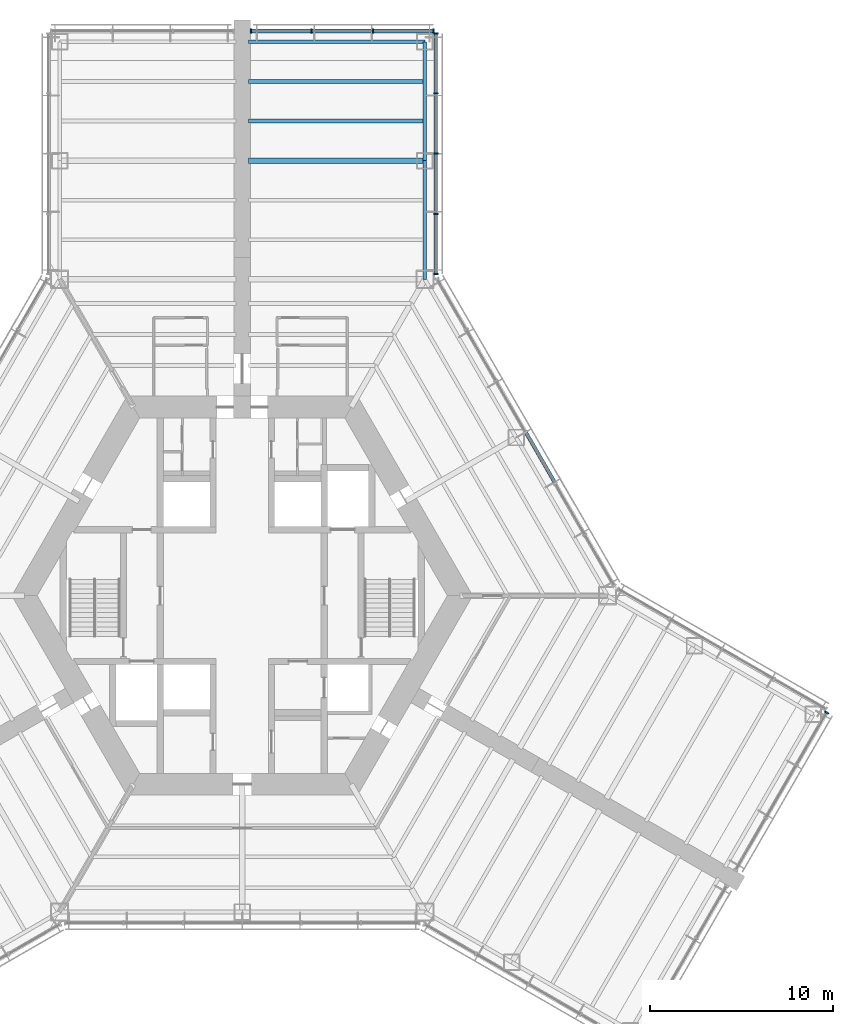
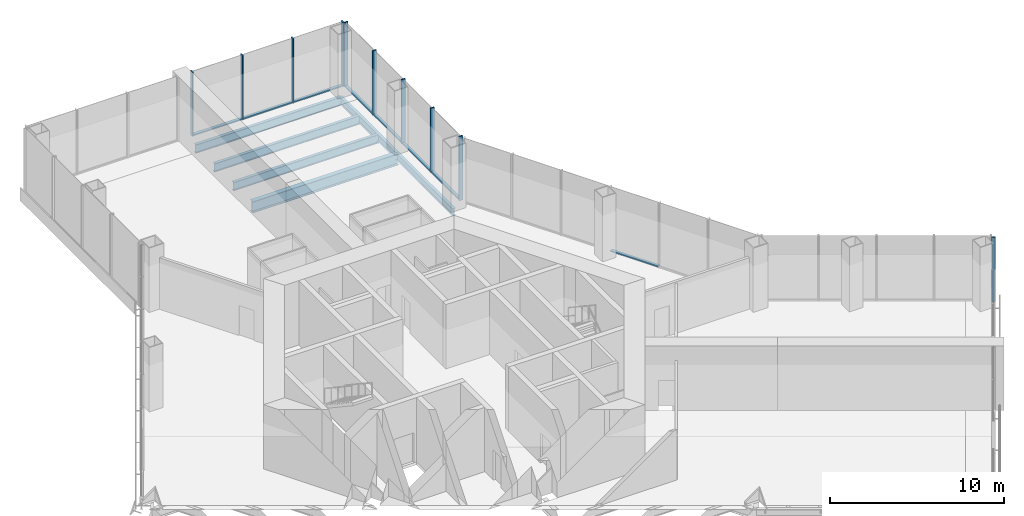
# One storey, part 6 of 13: 18 members, 6 beams, 4 elements without a shape of their own.
"""IFC4 building model written with IfcOpenShell, lengths in metres."""

from ifc_helpers import new_model, si_unit, direction, frame, origin, origin_2d, place, context, subcontext, project, spatial, rectangle, i_section, extrude, material, material_profile, profile_set, type_object, element, aggregate, save


model = new_model("IFC4")

# Units and contexts
model_context = context("Model", 3, precision=1e-05, world=origin(), true_north=direction((0.0, 1.0)))
body_context = subcontext(model_context, "Body", "Model", "MODEL_VIEW")
ifc_project = project(units=[si_unit("LENGTHUNIT", "METRE"), si_unit("AREAUNIT", "SQUARE_METRE"), si_unit("VOLUMEUNIT", "CUBIC_METRE"), si_unit("PLANEANGLEUNIT", "RADIAN"), si_unit("MASSUNIT", "GRAM", prefix="KILO")], contexts=[model_context])

# Site, building, storey
site_placement = place(None, origin())
site = spatial("IfcSite", under=ifc_project, at=site_placement, CompositionType="ELEMENT")
building_placement = place(site_placement, origin())
building = spatial("IfcBuilding", under=site, at=building_placement, Name="Kasaneha Research Tower", CompositionType="ELEMENT")
storey_placement = place(building_placement, frame((0.0, 0.0, 5.5)))
storey = spatial("IfcBuildingStorey", under=building, at=storey_placement, Name="L02", CompositionType="ELEMENT", Elevation=5.5)

# Beams
ifc_material_1 = material(Name="Steel SN490B", Category="steel")
ifc_material_profile_1 = material_profile(ifc_material_1, i_section(OverallWidth=0.198974609375, OverallDepth=0.595947265625, WebThickness=0.010009765625, FlangeThickness=0.014892578125, FilletRadius=0.012939453125, at=origin_2d()), Name="H-596x199x10x15")
ifc_profile_set_1 = profile_set([ifc_material_profile_1], Name="Steel SN490B")
beam_type_1 = type_object("IfcBeamType", Name="B2-1 secondary beam H-596x199x10x15", PredefinedType="JOIST", material=ifc_profile_set_1)
for number, where, z_axis, x_axis, name in (
    (1, (10.0, 25.987060546875, -0.498046875), (-1.0, 0.0, 0.0), (0.0, -1.0, 0.0), "Secondary beam WBAP3 L02"),
    (2, (10.0, 28.15380859375, -0.498046875), (-1.0, 0.0, 0.0), (0.0, -1.0, 0.0), "Secondary beam WBAP4 L02"),
):
    element("IfcBeam", number, at=place(storey_placement, frame(where, z_axis=z_axis, x_axis=x_axis)), inside=storey, type_object=beam_type_1, Name=name, PredefinedType="JOIST", context=body_context, shape_type="SweptSolid", body=[
        extrude(i_section(OverallWidth=0.198974609375, OverallDepth=0.595947265625, WebThickness=0.010009765625, FlangeThickness=0.014892578125, FilletRadius=0.012939453125, at=origin_2d()), origin(), (0.0, 0.0, 1.0), 9.64990234375),
    ])

# Curtain wall, member
ifc_material_2 = material(Name="Glass and aluminium", Category="aluminium")
curtain_wall_type = type_object("IfcCurtainWallType", Name="Entrance hall curtain wall", PredefinedType="USERDEFINED", material=ifc_material_2)
curtain_wall_1_placement = place(storey_placement, origin())
curtain_wall_1 = element("IfcCurtainWall", 3, at=curtain_wall_1_placement, inside=storey, type_object=curtain_wall_type, Name="CW-H L02 run 05a", ObjectType="UNITISED CURTAIN WALL", PredefinedType="USERDEFINED")
ifc_material_3 = material(Name="Aluminium 6063-T6", Category="aluminium")
ifc_material_profile_2 = material_profile(ifc_material_3, rectangle(XDim=0.080078125, YDim=0.25, at=origin_2d()), Name="CW-H mullion 80x250")
ifc_profile_set_2 = profile_set([ifc_material_profile_2], Name="Aluminium 6063-T6")
member_type_1 = type_object("IfcMemberType", Name="CW-H mullion", PredefinedType="MULLION", material=ifc_profile_set_2)
member_1_placement = place(storey_placement, frame((32.008056640625, -6.401611328125, 0.0), z_axis=(0.0, 0.0, 1.0), x_axis=(0.500000011442, 0.866025397178, 0.0)))
member_1 = element("IfcMember", 4, at=member_1_placement, type_object=member_type_1, Name="CW-H mullion 4", PredefinedType="MULLION", context=body_context, shape_type="SweptSolid", body=[
    extrude(rectangle(XDim=0.080078125, YDim=0.25, at=origin_2d()), origin(), (0.0, 0.0, 1.0), 4.5),
])
aggregate(curtain_wall_1, [member_1])

# Curtain wall, members
curtain_wall_2_placement = place(storey_placement, origin())
curtain_wall_2 = element("IfcCurtainWall", 5, at=curtain_wall_2_placement, inside=storey, type_object=curtain_wall_type, Name="CW-H L02 run 08a", ObjectType="UNITISED CURTAIN WALL", PredefinedType="USERDEFINED")
member_2_placement = place(storey_placement, frame((10.60009765625, 17.621337890625, 0.0), z_axis=(0.0, 0.0, 1.0), x_axis=(0.0, 1.0, 0.0)))
member_2 = element("IfcMember", 6, at=member_2_placement, type_object=member_type_1, Name="CW-H mullion 1", PredefinedType="MULLION", context=body_context, shape_type="SweptSolid", body=[
    extrude(rectangle(XDim=0.080078125, YDim=0.25, at=origin_2d()), origin(), (0.0, 0.0, 1.0), 4.5),
])
member_3_placement = place(storey_placement, frame((10.60009765625, 20.89111328125, 0.0), z_axis=(0.0, 0.0, 1.0), x_axis=(0.0, 1.0, 0.0)))
member_3 = element("IfcMember", 7, at=member_3_placement, type_object=member_type_1, Name="CW-H mullion 2", PredefinedType="MULLION", context=body_context, shape_type="SweptSolid", body=[
    extrude(rectangle(XDim=0.080078125, YDim=0.25, at=origin_2d()), origin(), (0.0, 0.0, 1.0), 4.5),
])
member_4_placement = place(storey_placement, frame((10.60009765625, 24.200927734375, 0.0), z_axis=(0.0, 0.0, 1.0), x_axis=(0.0, 1.0, 0.0)))
member_4 = element("IfcMember", 8, at=member_4_placement, type_object=member_type_1, Name="CW-H mullion 3", PredefinedType="MULLION", context=body_context, shape_type="SweptSolid", body=[
    extrude(rectangle(XDim=0.080078125, YDim=0.25, at=origin_2d()), origin(), (0.0, 0.0, 1.0), 4.5),
])
member_5_placement = place(storey_placement, frame((10.60009765625, 27.5107421875, 0.0), z_axis=(0.0, 0.0, 1.0), x_axis=(0.0, 1.0, 0.0)))
member_5 = element("IfcMember", 9, at=member_5_placement, type_object=member_type_1, Name="CW-H mullion 4", PredefinedType="MULLION", context=body_context, shape_type="SweptSolid", body=[
    extrude(rectangle(XDim=0.080078125, YDim=0.25, at=origin_2d()), origin(), (0.0, 0.0, 1.0), 4.5),
])
member_6_placement = place(storey_placement, frame((10.60009765625, 30.780517578125, 0.0), z_axis=(0.0, 0.0, 1.0), x_axis=(0.0, 1.0, 0.0)))
member_6 = element("IfcMember", 10, at=member_6_placement, type_object=member_type_1, Name="CW-H mullion 5", PredefinedType="MULLION", context=body_context, shape_type="SweptSolid", body=[
    extrude(rectangle(XDim=0.080078125, YDim=0.25, at=origin_2d()), origin(), (0.0, 0.0, 1.0), 4.5),
])

curtain_wall_3_placement = place(storey_placement, origin())
curtain_wall_3 = element("IfcCurtainWall", 11, at=curtain_wall_3_placement, inside=storey, type_object=curtain_wall_type, Name="CW-H L02 run 09a", ObjectType="UNITISED CURTAIN WALL", PredefinedType="USERDEFINED")
member_7_placement = place(storey_placement, frame((10.4599609375, 30.92041015625, 0.0), z_axis=(0.0, 0.0, 1.0), x_axis=(-1.0, 0.0, 0.0)))
member_7 = element("IfcMember", 12, at=member_7_placement, type_object=member_type_1, Name="CW-H mullion 1", PredefinedType="MULLION", context=body_context, shape_type="SweptSolid", body=[
    extrude(rectangle(XDim=0.080078125, YDim=0.25, at=origin_2d()), origin(), (0.0, 0.0, 1.0), 4.5),
])
member_8_placement = place(storey_placement, frame((7.14990234375, 30.92041015625, 0.0), z_axis=(0.0, 0.0, 1.0), x_axis=(-1.0, 0.0, 0.0)))
member_8 = element("IfcMember", 13, at=member_8_placement, type_object=member_type_1, Name="CW-H mullion 2", PredefinedType="MULLION", context=body_context, shape_type="SweptSolid", body=[
    extrude(rectangle(XDim=0.080078125, YDim=0.25, at=origin_2d()), origin(), (0.0, 0.0, 1.0), 4.5),
])
member_9_placement = place(storey_placement, frame((3.800048828125, 30.92041015625, 0.0), z_axis=(0.0, 0.0, 1.0), x_axis=(-1.0, 0.0, 0.0)))
member_9 = element("IfcMember", 14, at=member_9_placement, type_object=member_type_1, Name="CW-H mullion 3", PredefinedType="MULLION", context=body_context, shape_type="SweptSolid", body=[
    extrude(rectangle(XDim=0.080078125, YDim=0.25, at=origin_2d()), origin(), (0.0, 0.0, 1.0), 4.5),
])
member_10_placement = place(storey_placement, frame((0.489990234375, 30.92041015625, 0.0), z_axis=(0.0, 0.0, 1.0), x_axis=(-1.0, 0.0, 0.0)))
member_10 = element("IfcMember", 15, at=member_10_placement, type_object=member_type_1, Name="CW-H mullion 4", PredefinedType="MULLION", context=body_context, shape_type="SweptSolid", body=[
    extrude(rectangle(XDim=0.080078125, YDim=0.25, at=origin_2d()), origin(), (0.0, 0.0, 1.0), 4.5),
])

# Curtain wall, member
curtain_wall_4_placement = place(storey_placement, origin())
curtain_wall_4 = element("IfcCurtainWall", 16, at=curtain_wall_4_placement, inside=storey, type_object=curtain_wall_type, Name="CW-H L02 run 07a", ObjectType="UNITISED CURTAIN WALL", PredefinedType="USERDEFINED")
ifc_material_4 = material(Name="Aluminium 6063-T6", Category="aluminium")
ifc_material_profile_3 = material_profile(ifc_material_4, rectangle(XDim=0.199951171875, YDim=0.080078125, at=origin_2d()), Name="CW-H transom 200x80")
ifc_profile_set_3 = profile_set([ifc_material_profile_3], Name="Aluminium 6063-T6")
member_type_2 = type_object("IfcMemberType", Name="CW-H transom", PredefinedType="USERDEFINED", material=ifc_profile_set_3)
member_11_placement = place(storey_placement, frame((17.122802734375, 6.183349609375, 0.0400390625), z_axis=(-0.500011668103, 0.866018667098, 0.0), x_axis=(-0.866018667098, -0.500011668103, 0.0)))
member_11 = element("IfcMember", 17, at=member_11_placement, type_object=member_type_2, Name="CW-H transom 3", ObjectType="TRANSOM", PredefinedType="USERDEFINED", context=body_context, shape_type="SweptSolid", body=[
    extrude(rectangle(XDim=0.199951171875, YDim=0.080078125, at=origin_2d()), origin(), (0.0, 0.0, 1.0), 3.16650390625),
])
aggregate(curtain_wall_4, [member_11])

# Member
member_12_placement = place(storey_placement, frame((10.60009765625, 17.661376953125, 0.0400390625), z_axis=(0.0, 1.0, 0.0), x_axis=(-1.0, 0.0, 0.0)))
member_12 = element("IfcMember", 18, at=member_12_placement, type_object=member_type_2, Name="CW-H transom 1", ObjectType="TRANSOM", PredefinedType="USERDEFINED", context=body_context, shape_type="SweptSolid", body=[
    extrude(rectangle(XDim=0.199951171875, YDim=0.080078125, at=origin_2d()), origin(), (0.0, 0.0, 1.0), 3.189697265625),
])

member_13_placement = place(storey_placement, frame((10.60009765625, 20.93115234375, 0.0400390625), z_axis=(0.0, 1.0, 0.0), x_axis=(-1.0, 0.0, 0.0)))
member_13 = element("IfcMember", 19, at=member_13_placement, type_object=member_type_2, Name="CW-H transom 2", ObjectType="TRANSOM", PredefinedType="USERDEFINED", context=body_context, shape_type="SweptSolid", body=[
    extrude(rectangle(XDim=0.199951171875, YDim=0.080078125, at=origin_2d()), origin(), (0.0, 0.0, 1.0), 3.229736328125),
])

member_14_placement = place(storey_placement, frame((10.60009765625, 24.240966796875, 0.0400390625), z_axis=(0.0, 1.0, 0.0), x_axis=(-1.0, 0.0, 0.0)))
member_14 = element("IfcMember", 20, at=member_14_placement, type_object=member_type_2, Name="CW-H transom 3", ObjectType="TRANSOM", PredefinedType="USERDEFINED", context=body_context, shape_type="SweptSolid", body=[
    extrude(rectangle(XDim=0.199951171875, YDim=0.080078125, at=origin_2d()), origin(), (0.0, 0.0, 1.0), 3.229736328125),
])

member_15_placement = place(storey_placement, frame((10.60009765625, 27.55078125, 0.0400390625), z_axis=(0.0, 1.0, 0.0), x_axis=(-1.0, 0.0, 0.0)))
member_15 = element("IfcMember", 21, at=member_15_placement, type_object=member_type_2, Name="CW-H transom 4", ObjectType="TRANSOM", PredefinedType="USERDEFINED", context=body_context, shape_type="SweptSolid", body=[
    extrude(rectangle(XDim=0.199951171875, YDim=0.080078125, at=origin_2d()), origin(), (0.0, 0.0, 1.0), 3.189697265625),
])

aggregate(curtain_wall_2, [member_2, member_3, member_4, member_5, member_6, member_12, member_13, member_14, member_15])

member_16_placement = place(storey_placement, frame((10.419921875, 30.92041015625, 0.0400390625), z_axis=(-1.0, 0.0, 0.0), x_axis=(0.0, -1.0, 0.0)))
member_16 = element("IfcMember", 22, at=member_16_placement, type_object=member_type_2, Name="CW-H transom 1", ObjectType="TRANSOM", PredefinedType="USERDEFINED", context=body_context, shape_type="SweptSolid", body=[
    extrude(rectangle(XDim=0.199951171875, YDim=0.080078125, at=origin_2d()), origin(), (0.0, 0.0, 1.0), 3.22998046875),
])

member_17_placement = place(storey_placement, frame((7.110107421875, 30.92041015625, 0.0400390625), z_axis=(-1.0, 0.0, 0.0), x_axis=(0.0, -1.0, 0.0)))
member_17 = element("IfcMember", 23, at=member_17_placement, type_object=member_type_2, Name="CW-H transom 2", ObjectType="TRANSOM", PredefinedType="USERDEFINED", context=body_context, shape_type="SweptSolid", body=[
    extrude(rectangle(XDim=0.199951171875, YDim=0.080078125, at=origin_2d()), origin(), (0.0, 0.0, 1.0), 3.27001953125),
])

member_18_placement = place(storey_placement, frame((3.760009765625, 30.92041015625, 0.0400390625), z_axis=(-1.0, 0.0, 0.0), x_axis=(0.0, -1.0, 0.0)))
member_18 = element("IfcMember", 24, at=member_18_placement, type_object=member_type_2, Name="CW-H transom 3", ObjectType="TRANSOM", PredefinedType="USERDEFINED", context=body_context, shape_type="SweptSolid", body=[
    extrude(rectangle(XDim=0.199951171875, YDim=0.080078125, at=origin_2d()), origin(), (0.0, 0.0, 1.0), 3.22998046875),
])

aggregate(curtain_wall_3, [member_7, member_8, member_9, member_10, member_16, member_17, member_18])

# Beams
ifc_material_5 = material(Name="Steel SN490B", Category="steel")
ifc_material_profile_4 = material_profile(ifc_material_5, i_section(OverallWidth=0.300048828125, OverallDepth=0.800048828125, WebThickness=0.013916015625, FlangeThickness=0.02587890625, FilletRadius=0.01806640625, at=origin_2d()), Name="H-800x300x14x26")
ifc_profile_set_4 = profile_set([ifc_material_profile_4], Name="Steel SN490B")
beam_type_2 = type_object("IfcBeamType", Name="G4-1 wing girder H-800x300x14x26", PredefinedType="BEAM", material=ifc_profile_set_4)
beam_1_placement = place(storey_placement, frame((10.0, 23.820556640625, -0.60009765625), z_axis=(-1.0, 0.0, 0.0), x_axis=(0.0, -1.0, 0.0)))
element("IfcBeam", 25, at=beam_1_placement, inside=storey, type_object=beam_type_2, Name="Wing girder WGAP L02", PredefinedType="BEAM", context=body_context, shape_type="SweptSolid", body=[
    extrude(i_section(OverallWidth=0.300048828125, OverallDepth=0.800048828125, WebThickness=0.013916015625, FlangeThickness=0.02587890625, FilletRadius=0.01806640625, at=origin_2d()), origin(), (0.0, 0.0, 1.0), 9.64990234375),
])
ifc_material_6 = material(Name="Steel SN490B", Category="steel")
ifc_material_profile_5 = material_profile(ifc_material_6, i_section(OverallWidth=0.199951171875, OverallDepth=0.5, WebThickness=0.010009765625, FlangeThickness=0.01611328125, FilletRadius=0.012939453125, at=origin_2d()), Name="H-500x200x10x16")
ifc_profile_set_5 = profile_set([ifc_material_profile_5], Name="Steel SN490B")
beam_type_3 = type_object("IfcBeamType", Name="SB2-1 spandrel beam H-500x200x10x16", PredefinedType="SPANDREL", material=ifc_profile_set_5)
for number, where, z_axis, x_axis, name in (
    (26, (10.0, 17.320556640625, -0.449951171875), (0.0, 1.0, 0.0), (-1.0, 0.0, 0.0), "Spandrel beam WSAP1 L02"),
    (27, (10.0, 23.820556640625, -0.449951171875), (0.0, 1.0, 0.0), (-1.0, 0.0, 0.0), "Spandrel beam WSAP2 L02"),
):
    element("IfcBeam", number, at=place(storey_placement, frame(where, z_axis=z_axis, x_axis=x_axis)), inside=storey, type_object=beam_type_3, Name=name, PredefinedType="SPANDREL", context=body_context, shape_type="SweptSolid", body=[
        extrude(i_section(OverallWidth=0.199951171875, OverallDepth=0.5, WebThickness=0.010009765625, FlangeThickness=0.01611328125, FilletRadius=0.012939453125, at=origin_2d()), origin(), (0.0, 0.0, 1.0), 6.5),
    ])
ifc_material_7 = material(Name="Steel SN490B", Category="steel")
ifc_material_profile_6 = material_profile(ifc_material_7, i_section(OverallWidth=0.199951171875, OverallDepth=0.60009765625, WebThickness=0.010986328125, FlangeThickness=0.01708984375, FilletRadius=0.012939453125, at=origin_2d()), Name="H-600x200x11x17")
ifc_profile_set_6 = profile_set([ifc_material_profile_6], Name="Steel SN490B")
beam_type_4 = type_object("IfcBeamType", Name="SB3-1 spandrel beam H-600x200x11x17", PredefinedType="SPANDREL", material=ifc_profile_set_6)
beam_2_placement = place(storey_placement, frame((10.0, 30.320556640625, -0.5), z_axis=(-1.0, 0.0, 0.0), x_axis=(0.0, -1.0, 0.0)))
element("IfcBeam", 28, at=beam_2_placement, inside=storey, type_object=beam_type_4, Name="Spandrel beam WTAP L02", PredefinedType="SPANDREL", context=body_context, shape_type="SweptSolid", body=[
    extrude(i_section(OverallWidth=0.199951171875, OverallDepth=0.60009765625, WebThickness=0.010986328125, FlangeThickness=0.01708984375, FilletRadius=0.012939453125, at=origin_2d()), origin(), (0.0, 0.0, 1.0), 9.64990234375),
])

save(model, "model.ifc")
